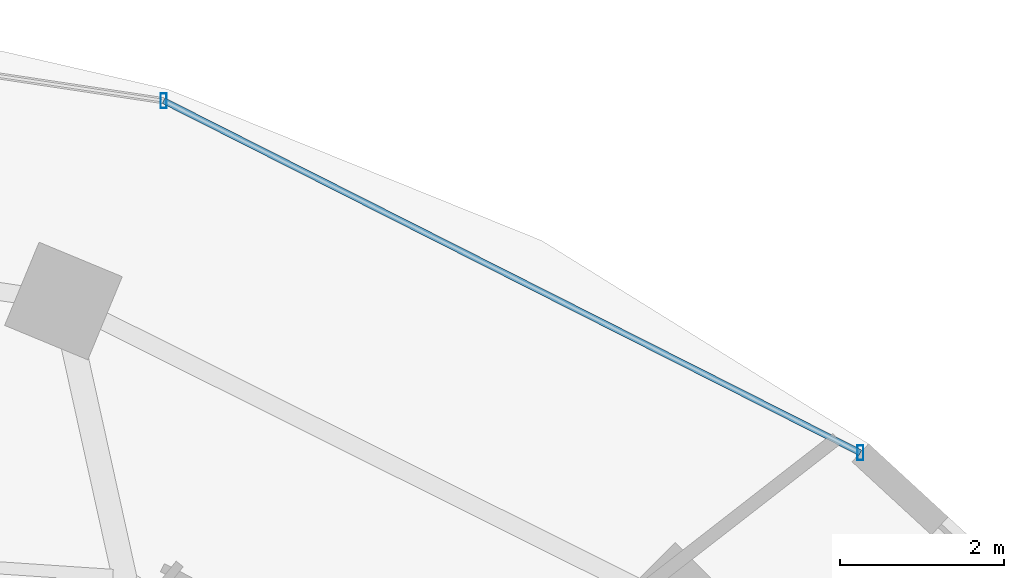
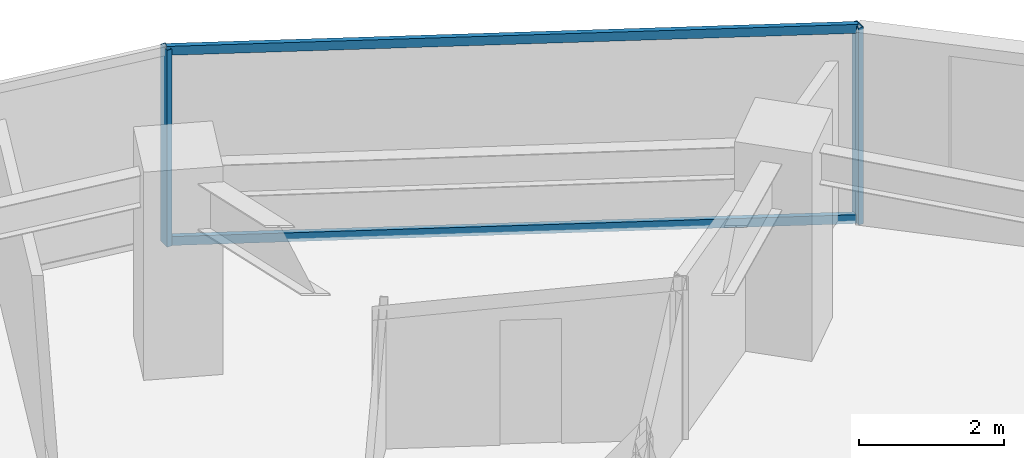
# One storey, part 20 of 30: 4 members, 1 element without a shape of its own.
"""IFC4 building model written with IfcOpenShell, lengths in metres."""

from ifc_helpers import new_model, si_unit, direction, frame, origin, origin_2d, place, context, subcontext, project, spatial, hollow_rectangle, extrude, material, material_profile, profile_set, type_object, element, aggregate, save


model = new_model("IFC4")

# Units and contexts
model_context = context("Model", 3, precision=1e-05, world=origin(), true_north=direction((0.0, 1.0)))
body_context = subcontext(model_context, "Body", "Model", "MODEL_VIEW")
ifc_project = project(units=[si_unit("LENGTHUNIT", "METRE"), si_unit("AREAUNIT", "SQUARE_METRE"), si_unit("VOLUMEUNIT", "CUBIC_METRE"), si_unit("PLANEANGLEUNIT", "RADIAN"), si_unit("MASSUNIT", "GRAM", prefix="KILO")], contexts=[model_context])

# Site, building, storey
site_placement = place(None, origin())
site = spatial("IfcSite", under=ifc_project, at=site_placement, CompositionType="ELEMENT")
building_placement = place(site_placement, origin())
building = spatial("IfcBuilding", under=site, at=building_placement, Name="Vorneva Point Tower", CompositionType="ELEMENT")
storey_placement = place(building_placement, frame((0.0, 0.0, 89.300048828125)))
storey = spatial("IfcBuildingStorey", under=building, at=storey_placement, Name="L23", CompositionType="ELEMENT", Elevation=89.300048828125)

# Curtain wall, members
ifc_material = material(Name="Pale anodised aluminium", Category="aluminium")
curtain_wall_type = type_object("IfcCurtainWallType", Name="CW-HTL-SYS", PredefinedType="NOTDEFINED", material=ifc_material)
curtain_wall_placement = place(storey_placement, origin())
curtain_wall = element("IfcCurtainWall", 1, at=curtain_wall_placement, inside=storey, type_object=curtain_wall_type, Name="L23 Unitised Curtain Wall CW-L23-R02", PredefinedType="NOTDEFINED")
ifc_material_profile_1 = material_profile(ifc_material, hollow_rectangle(XDim=0.074951171875, YDim=0.179931640625, WallThickness=0.00390625, at=origin_2d()), Name="AL-MUL 180x75x4")
ifc_profile_set_1 = profile_set([ifc_material_profile_1], Name="Pale anodised aluminium")
member_type_1 = type_object("IfcMemberType", Name="CW-MUL-180", PredefinedType="MULLION", material=ifc_profile_set_1)
member_1_placement = place(storey_placement, frame((56.5615234375, 40.0361328125, -0.0400390625), z_axis=(0.0, 0.0, 1.0), x_axis=(1.0, 0.0, 0.0)))
member_1 = element("IfcMember", 2, at=member_1_placement, type_object=member_type_1, Name="CW-L23-R02 Mullion 01", PredefinedType="MULLION", context=body_context, shape_type="SweptSolid", body=[
    extrude(hollow_rectangle(XDim=0.074951171875, YDim=0.179931640625, WallThickness=0.00390625, at=origin_2d()), origin(), (0.0, 0.0, 1.0), 3.31005859375),
])
member_2_placement = place(storey_placement, frame((48.04541015625, 44.339111328125, -0.0400390625), z_axis=(0.0, 0.0, 1.0), x_axis=(1.0, 0.0, 0.0)))
member_2 = element("IfcMember", 3, at=member_2_placement, type_object=member_type_1, Name="CW-L23-R02 Mullion 02", PredefinedType="MULLION", context=body_context, shape_type="SweptSolid", body=[
    extrude(hollow_rectangle(XDim=0.074951171875, YDim=0.179931640625, WallThickness=0.00390625, at=origin_2d()), origin(), (0.0, 0.0, 1.0), 3.31005859375),
])
ifc_material_profile_2 = material_profile(ifc_material, hollow_rectangle(XDim=0.074951171875, YDim=0.14990234375, WallThickness=0.00390625, at=origin_2d()), Name="AL-TRN 150x75x4")
ifc_profile_set_2 = profile_set([ifc_material_profile_2], Name="Pale anodised aluminium")
member_type_2 = type_object("IfcMemberType", Name="CW-TRN-150", PredefinedType="USERDEFINED", material=ifc_profile_set_2)
member_3_placement = place(storey_placement, frame((56.5615234375, 40.0361328125, 0.02001953125), z_axis=(-0.892536035732, 0.450976080207, 0.0), x_axis=(-0.450976080207, -0.892536035732, 0.0)))
member_3 = element("IfcMember", 4, at=member_3_placement, type_object=member_type_2, Name="CW-L23-R02 Transom 01.1", ObjectType="TRANSOM", PredefinedType="USERDEFINED", context=body_context, shape_type="SweptSolid", body=[
    extrude(hollow_rectangle(XDim=0.074951171875, YDim=0.14990234375, WallThickness=0.00390625, at=origin_2d()), origin(), (0.0, 0.0, 1.0), 9.54150390625),
])
member_4_placement = place(storey_placement, frame((56.5615234375, 40.0361328125, 3.219970703125), z_axis=(-0.892536035732, 0.450976080207, 0.0), x_axis=(-0.450976080207, -0.892536035732, 0.0)))
member_4 = element("IfcMember", 5, at=member_4_placement, type_object=member_type_2, Name="CW-L23-R02 Transom 01.2", ObjectType="TRANSOM", PredefinedType="USERDEFINED", context=body_context, shape_type="SweptSolid", body=[
    extrude(hollow_rectangle(XDim=0.074951171875, YDim=0.14990234375, WallThickness=0.00390625, at=origin_2d()), origin(), (0.0, 0.0, 1.0), 9.54150390625),
])
aggregate(curtain_wall, [member_1, member_2, member_3, member_4])

save(model, "model.ifc")
